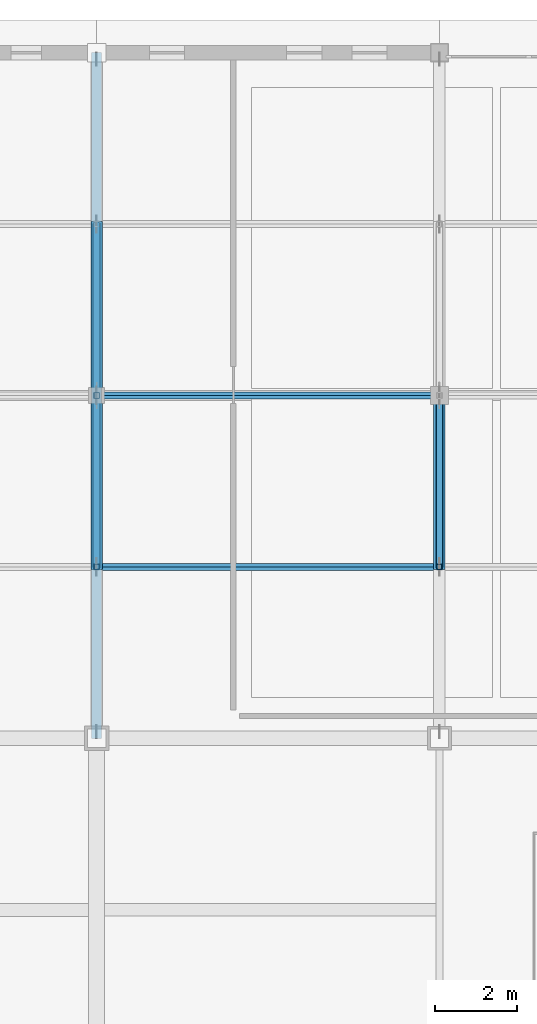
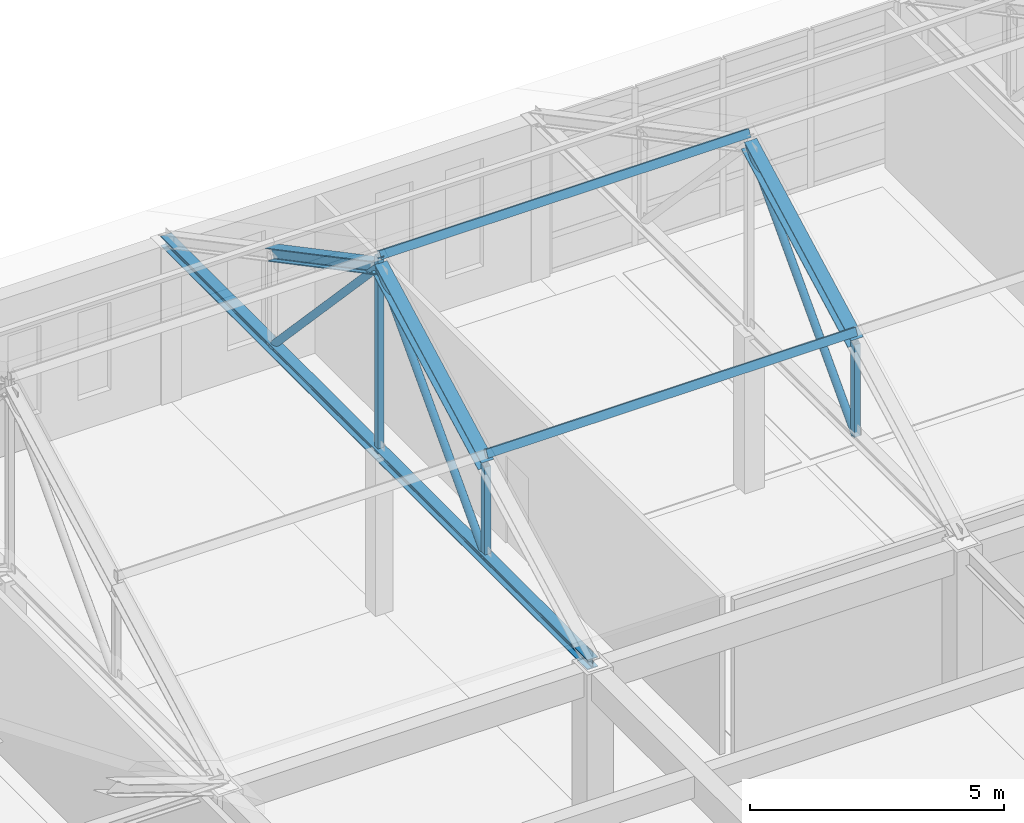
# One storey, part 19 of 56: 12 members.
"""IFC4 building model written with IfcOpenShell, lengths in metres."""

from ifc_helpers import new_model, si_unit, direction, frame, origin, origin_2d, place, context, subcontext, project, spatial, hollow_rectangle, hollow_circle, i_section, extrude, material, material_profile, profile_set, type_object, element, save


model = new_model("IFC4")

# Units and contexts
model_context = context("Model", 3, precision=1e-05, world=origin(), true_north=direction((0.0, 1.0)))
body_context = subcontext(model_context, "Body", "Model", "MODEL_VIEW")
ifc_project = project(units=[si_unit("LENGTHUNIT", "METRE"), si_unit("AREAUNIT", "SQUARE_METRE"), si_unit("VOLUMEUNIT", "CUBIC_METRE"), si_unit("PLANEANGLEUNIT", "RADIAN"), si_unit("MASSUNIT", "GRAM", prefix="KILO")], contexts=[model_context])

# Site, building, storey
site_placement = place(None, origin())
site = spatial("IfcSite", under=ifc_project, at=site_placement, CompositionType="ELEMENT")
building_placement = place(site_placement, origin())
building = spatial("IfcBuilding", under=site, at=building_placement, Name="Kveldsbrygga Polytechnic", CompositionType="ELEMENT")
storey_placement = place(building_placement, frame((0.0, 0.0, 18.02001953125)))
storey = spatial("IfcBuildingStorey", under=building, at=storey_placement, Name="L04", CompositionType="ELEMENT", Elevation=18.02001953125)

# Members
ifc_material = material(Name="Steel S355", Category="steel")
ifc_material_profile_1 = material_profile(ifc_material, hollow_circle(Radius=0.084228515625, WallThickness=0.010009765625, at=origin_2d()), Name="CHS 168.3x10.0")
ifc_profile_set_1 = profile_set([ifc_material_profile_1], Name="Steel S355")
member_type_1 = type_object("IfcMemberType", Name="BR-WIND-CHS168", PredefinedType="BRACE", material=ifc_profile_set_1)
for number, where, z_axis, x_axis, name in (
    (1, (134.39990234375, 105.0, 3.780029296875), (0.0, 0.686383320151, 0.727239945148), (-1.0, 0.0, 0.0), "Truss Diagonal V4N5-T02-DG-2"),
    (2, (134.39990234375, 109.199951171875, 8.22998046875), (0.0, 0.686383320151, -0.727239945148), (-1.0, 0.0, 0.0), "Truss Diagonal V4N5-T02-DG-3"),
    (3, (142.800048828125, 105.0, 3.780029296875), (0.0, 0.686383320151, 0.727239945148), (-1.0, 0.0, 0.0), "Truss Diagonal V4N5-T03-DG-2"),
):
    element("IfcMember", number, at=place(storey_placement, frame(where, z_axis=z_axis, x_axis=x_axis)), inside=storey, type_object=member_type_1, Name=name, PredefinedType="BRACE", context=body_context, shape_type="SweptSolid", body=[
        extrude(hollow_circle(Radius=0.084228515625, WallThickness=0.010009765625, at=origin_2d()), origin(), (0.0, 0.0, 1.0), 6.118896484375),
    ])
ifc_material_profile_2 = material_profile(ifc_material, hollow_rectangle(XDim=0.10009765625, YDim=0.179931640625, WallThickness=0.008056640625, at=origin_2d()), Name="RHS 180x100x8.0")
ifc_profile_set_2 = profile_set([ifc_material_profile_2], Name="Steel S355")
member_type_2 = type_object("IfcMemberType", Name="PRL-RHS180", PredefinedType="PURLIN", material=ifc_profile_set_2)
for number, where, z_axis, x_axis, name in (
    (4, (134.39990234375, 105.0, 6.265380859375), (1.0, 0.0, 0.0), (0.0, 0.883660254474, -0.468128779998), "Roof Purlin V4N5-PRL-2-1"),
    (5, (134.39990234375, 109.199951171875, 8.490234375), (1.0, 0.0, 0.0), (0.0, 0.883660254474, -0.468128779998), "Roof Purlin V4N5-PRL-2-2"),
):
    element("IfcMember", number, at=place(storey_placement, frame(where, z_axis=z_axis, x_axis=x_axis)), inside=storey, type_object=member_type_2, Name=name, PredefinedType="PURLIN", context=body_context, shape_type="SweptSolid", body=[
        extrude(hollow_rectangle(XDim=0.10009765625, YDim=0.179931640625, WallThickness=0.008056640625, at=origin_2d()), origin(), (0.0, 0.0, 1.0), 8.400146484375),
    ])
ifc_material_profile_3 = material_profile(ifc_material, i_section(OverallWidth=0.239990234375, OverallDepth=0.239990234375, WebThickness=0.010009765625, FlangeThickness=0.01708984375, FilletRadius=0.02099609375, at=origin_2d()), Name="HEB 240")
ifc_profile_set_3 = profile_set([ifc_material_profile_3], Name="Steel S355")
member_type_3 = type_object("IfcMemberType", Name="TR-BOT-HEB240", PredefinedType="CHORD", material=ifc_profile_set_3)
member_1_placement = place(storey_placement, frame((134.39990234375, 100.800048828125, 3.780029296875), z_axis=(0.0, 1.0, 0.0), x_axis=(-1.0, 0.0, 0.0)))
element("IfcMember", 6, at=member_1_placement, inside=storey, type_object=member_type_3, Name="Truss Bottom Chord V4N5-T02-BC-1", PredefinedType="CHORD", context=body_context, shape_type="SweptSolid", body=[
    extrude(i_section(OverallWidth=0.239990234375, OverallDepth=0.239990234375, WebThickness=0.010009765625, FlangeThickness=0.01708984375, FilletRadius=0.02099609375, at=origin_2d()), origin(), (0.0, 0.0, 1.0), 16.800048828125),
])
ifc_material_profile_4 = material_profile(ifc_material, hollow_rectangle(XDim=0.139892578125, YDim=0.139892578125, WallThickness=0.008056640625, at=origin_2d()), Name="SHS 140x140x8.0")
ifc_profile_set_4 = profile_set([ifc_material_profile_4], Name="Steel S355")
member_type_4 = type_object("IfcMemberType", Name="TR-POST-SHS140", PredefinedType="STRUT", material=ifc_profile_set_4)
member_2_placement = place(storey_placement, frame((134.39990234375, 105.0, 3.780029296875), z_axis=(0.0, 0.0, 1.0), x_axis=(1.0, 0.0, 0.0)))
element("IfcMember", 7, at=member_2_placement, inside=storey, type_object=member_type_4, Name="Truss Vertical V4N5-T02-VT-1", PredefinedType="STRUT", context=body_context, shape_type="SweptSolid", body=[
    extrude(hollow_rectangle(XDim=0.139892578125, YDim=0.139892578125, WallThickness=0.008056640625, at=origin_2d()), origin(), (0.0, 0.0, 1.0), 2.224853515625),
])
member_3_placement = place(storey_placement, frame((134.39990234375, 109.199951171875, 3.780029296875), z_axis=(0.0, 0.0, 1.0), x_axis=(1.0, 0.0, 0.0)))
element("IfcMember", 8, at=member_3_placement, inside=storey, type_object=member_type_4, Name="Truss Vertical V4N5-T02-VT-2", PredefinedType="STRUT", context=body_context, shape_type="SweptSolid", body=[
    extrude(hollow_rectangle(XDim=0.139892578125, YDim=0.139892578125, WallThickness=0.008056640625, at=origin_2d()), origin(), (0.0, 0.0, 1.0), 4.710205078125),
])
member_4_placement = place(storey_placement, frame((142.800048828125, 105.0, 3.780029296875), z_axis=(0.0, 0.0, 1.0), x_axis=(1.0, 0.0, 0.0)))
element("IfcMember", 9, at=member_4_placement, inside=storey, type_object=member_type_4, Name="Truss Vertical V4N5-T03-VT-1", PredefinedType="STRUT", context=body_context, shape_type="SweptSolid", body=[
    extrude(hollow_rectangle(XDim=0.139892578125, YDim=0.139892578125, WallThickness=0.008056640625, at=origin_2d()), origin(), (0.0, 0.0, 1.0), 2.224853515625),
])
ifc_material_profile_5 = material_profile(ifc_material, i_section(OverallWidth=0.280029296875, OverallDepth=0.280029296875, WebThickness=0.010498046875, FlangeThickness=0.01806640625, FilletRadius=0.02392578125, at=origin_2d()), Name="HEB 280")
ifc_profile_set_5 = profile_set([ifc_material_profile_5], Name="Steel S355")
member_type_5 = type_object("IfcMemberType", Name="TR-TOP-HEB280", PredefinedType="CHORD", material=ifc_profile_set_5)
for number, where, z_axis, x_axis, name in (
    (10, (134.39990234375, 105.0, 6.0048828125), (0.0, 0.883649189339, 0.468149666432), (-1.0, 0.0, 0.0), "Truss Top Chord V4N5-T02-TC-2"),
    (11, (134.39990234375, 109.199951171875, 8.22998046875), (0.0, 0.883649189339, -0.468149666432), (-1.0, 0.0, 0.0), "Truss Top Chord V4N5-T02-TC-3"),
    (12, (142.800048828125, 105.0, 6.0048828125), (0.0, 0.883649189339, 0.468149666432), (-1.0, 0.0, 0.0), "Truss Top Chord V4N5-T03-TC-2"),
):
    element("IfcMember", number, at=place(storey_placement, frame(where, z_axis=z_axis, x_axis=x_axis)), inside=storey, type_object=member_type_5, Name=name, PredefinedType="CHORD", context=body_context, shape_type="SweptSolid", body=[
        extrude(i_section(OverallWidth=0.280029296875, OverallDepth=0.280029296875, WebThickness=0.010498046875, FlangeThickness=0.01806640625, FilletRadius=0.02392578125, at=origin_2d()), origin(), (0.0, 0.0, 1.0), 4.7529296875),
    ])

save(model, "model.ifc")
